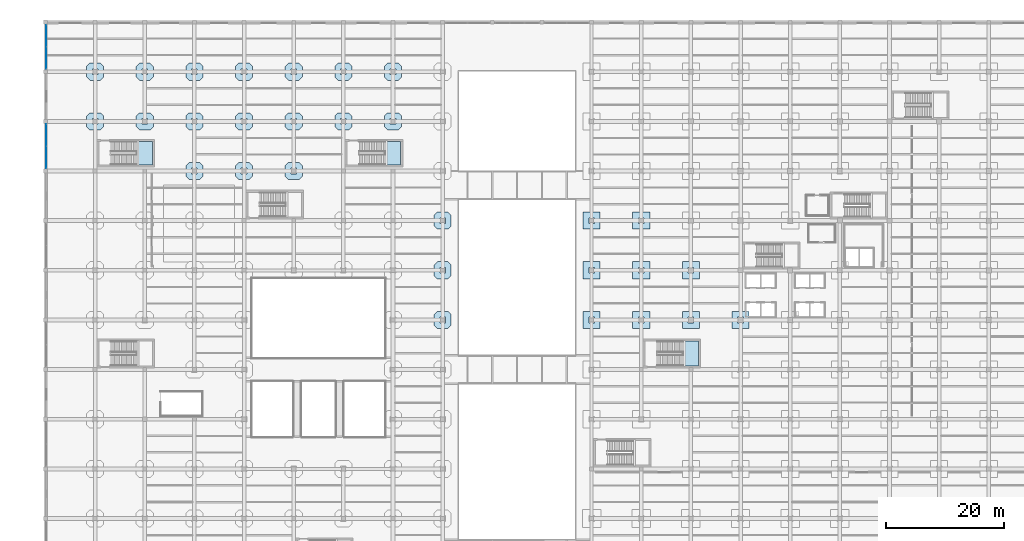
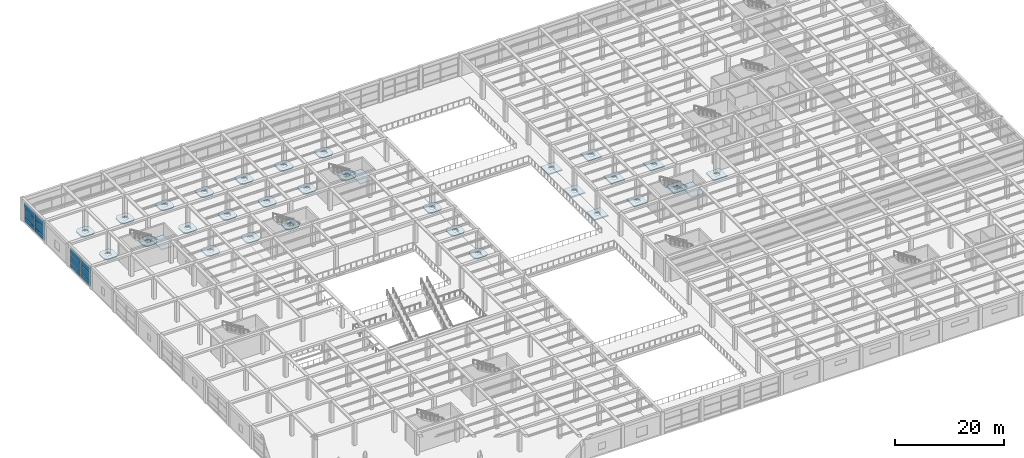
# One storey, part 43 of 65: 32 slabs, 12 plates, 5 elements without a shape of their own.
"""IFC4 building model written with IfcOpenShell, lengths in metres."""

from ifc_helpers import new_model, si_unit, direction, frame, origin, origin_2d, place, context, subcontext, project, spatial, polyline, rectangle, outline, extrude, material, layer, layer_set, type_object, element, aggregate, save


model = new_model("IFC4")

# Units and contexts
model_context = context("Model", 3, precision=1e-05, world=origin(), true_north=direction((0.0, 1.0)))
body_context = subcontext(model_context, "Body", "Model", "MODEL_VIEW")
ifc_project = project(units=[si_unit("LENGTHUNIT", "METRE"), si_unit("AREAUNIT", "SQUARE_METRE"), si_unit("VOLUMEUNIT", "CUBIC_METRE"), si_unit("PLANEANGLEUNIT", "RADIAN"), si_unit("MASSUNIT", "GRAM", prefix="KILO")], contexts=[model_context])

# Site, building, storey
site_placement = place(None, origin())
site = spatial("IfcSite", under=ifc_project, at=site_placement, CompositionType="ELEMENT")
building_placement = place(site_placement, origin())
building = spatial("IfcBuilding", under=site, at=building_placement, Name="Almacenes y Pasaje Nevantli", CompositionType="ELEMENT")
storey_placement = place(building_placement, frame((0.0, 0.0, 16.800048828125)))
storey = spatial("IfcBuildingStorey", under=building, at=storey_placement, Name="L04", CompositionType="ELEMENT", Elevation=16.800048828125)

# Curtain wall, plates
ifc_material_1 = material(Name="Thermally Broken Aluminium and Low-E Glass", Category="aluminium")
curtain_wall_type = type_object("IfcCurtainWallType", Name="CW-UNIT-PODIUM", PredefinedType="USERDEFINED", material=ifc_material_1)
curtain_wall_1_placement = place(storey_placement, origin())
curtain_wall_1 = element("IfcCurtainWall", 1, at=curtain_wall_1_placement, inside=storey, type_object=curtain_wall_type, Name="L04 West Avenue Unitized Curtain Wall Bay 12", ObjectType="UNITIZED CURTAIN WALL", PredefinedType="USERDEFINED")
ifc_material_2 = material(Name="Low-E Double Glazed Insulated Unit", Category="glass")
ifc_layer_1 = layer(ifc_material_2, 0.031982421875)
ifc_layer_set_1 = layer_set([ifc_layer_1], Name="Low-E Double Glazed Insulated Unit")
plate_type = type_object("IfcPlateType", Name="PL-IGU-32", PredefinedType="CURTAIN_PANEL", material=ifc_layer_set_1)
plate_1_placement = place(storey_placement, frame((0.14990234375, 94.73876953125, 0.05517578125), z_axis=(0.0, 0.0, 1.0), x_axis=(0.0, 1.0, 0.0)))
plate_1 = element("IfcPlate", 2, at=plate_1_placement, type_object=plate_type, Name="CW-L04-077 panel 1.1", PredefinedType="CURTAIN_PANEL", context=body_context, shape_type="SweptSolid", body=[
    extrude(rectangle(XDim=3.66748046875, YDim=0.031982421875, at=origin_2d()), origin(), (0.0, 0.0, 1.0), 0.867431640625),
])
plate_2_placement = place(storey_placement, frame((0.14990234375, 94.73876953125, 0.9775390625), z_axis=(0.0, 0.0, 1.0), x_axis=(0.0, 1.0, 0.0)))
plate_2 = element("IfcPlate", 3, at=plate_2_placement, type_object=plate_type, Name="CW-L04-077 panel 1.2", PredefinedType="CURTAIN_PANEL", context=body_context, shape_type="SweptSolid", body=[
    extrude(rectangle(XDim=3.66748046875, YDim=0.031982421875, at=origin_2d()), origin(), (0.0, 0.0, 1.0), 1.844970703125),
])
plate_3_placement = place(storey_placement, frame((0.14990234375, 94.73876953125, 2.87744140625), z_axis=(0.0, 0.0, 1.0), x_axis=(0.0, 1.0, 0.0)))
plate_3 = element("IfcPlate", 4, at=plate_3_placement, type_object=plate_type, Name="CW-L04-077 panel 1.3", PredefinedType="CURTAIN_PANEL", context=body_context, shape_type="SweptSolid", body=[
    extrude(rectangle(XDim=3.66748046875, YDim=0.031982421875, at=origin_2d()), origin(), (0.0, 0.0, 1.0), 1.447509765625),
])
plate_4_placement = place(storey_placement, frame((0.14990234375, 98.461181640625, 0.05517578125), z_axis=(0.0, 0.0, 1.0), x_axis=(0.0, 1.0, 0.0)))
plate_4 = element("IfcPlate", 5, at=plate_4_placement, type_object=plate_type, Name="CW-L04-077 panel 2.1", PredefinedType="CURTAIN_PANEL", context=body_context, shape_type="SweptSolid", body=[
    extrude(rectangle(XDim=3.66748046875, YDim=0.031982421875, at=origin_2d()), origin(), (0.0, 0.0, 1.0), 0.867431640625),
])
plate_5_placement = place(storey_placement, frame((0.14990234375, 98.461181640625, 0.9775390625), z_axis=(0.0, 0.0, 1.0), x_axis=(0.0, 1.0, 0.0)))
plate_5 = element("IfcPlate", 6, at=plate_5_placement, type_object=plate_type, Name="CW-L04-077 panel 2.2", PredefinedType="CURTAIN_PANEL", context=body_context, shape_type="SweptSolid", body=[
    extrude(rectangle(XDim=3.66748046875, YDim=0.031982421875, at=origin_2d()), origin(), (0.0, 0.0, 1.0), 1.844970703125),
])
plate_6_placement = place(storey_placement, frame((0.14990234375, 98.461181640625, 2.87744140625), z_axis=(0.0, 0.0, 1.0), x_axis=(0.0, 1.0, 0.0)))
plate_6 = element("IfcPlate", 7, at=plate_6_placement, type_object=plate_type, Name="CW-L04-077 panel 2.3", PredefinedType="CURTAIN_PANEL", context=body_context, shape_type="SweptSolid", body=[
    extrude(rectangle(XDim=3.66748046875, YDim=0.031982421875, at=origin_2d()), origin(), (0.0, 0.0, 1.0), 1.447509765625),
])
aggregate(curtain_wall_1, [plate_1, plate_2, plate_3, plate_4, plate_5, plate_6])

curtain_wall_2_placement = place(storey_placement, origin())
curtain_wall_2 = element("IfcCurtainWall", 8, at=curtain_wall_2_placement, inside=storey, type_object=curtain_wall_type, Name="L04 West Avenue Unitized Curtain Wall Bay 14", ObjectType="UNITIZED CURTAIN WALL", PredefinedType="USERDEFINED")
plate_7_placement = place(storey_placement, frame((0.14990234375, 111.538818359375, 0.05517578125), z_axis=(0.0, 0.0, 1.0), x_axis=(0.0, 1.0, 0.0)))
plate_7 = element("IfcPlate", 9, at=plate_7_placement, type_object=plate_type, Name="CW-L04-078 panel 1.1", PredefinedType="CURTAIN_PANEL", context=body_context, shape_type="SweptSolid", body=[
    extrude(rectangle(XDim=3.66748046875, YDim=0.031982421875, at=origin_2d()), origin(), (0.0, 0.0, 1.0), 0.867431640625),
])
plate_8_placement = place(storey_placement, frame((0.14990234375, 111.538818359375, 0.9775390625), z_axis=(0.0, 0.0, 1.0), x_axis=(0.0, 1.0, 0.0)))
plate_8 = element("IfcPlate", 10, at=plate_8_placement, type_object=plate_type, Name="CW-L04-078 panel 1.2", PredefinedType="CURTAIN_PANEL", context=body_context, shape_type="SweptSolid", body=[
    extrude(rectangle(XDim=3.66748046875, YDim=0.031982421875, at=origin_2d()), origin(), (0.0, 0.0, 1.0), 1.844970703125),
])
plate_9_placement = place(storey_placement, frame((0.14990234375, 111.538818359375, 2.87744140625), z_axis=(0.0, 0.0, 1.0), x_axis=(0.0, 1.0, 0.0)))
plate_9 = element("IfcPlate", 11, at=plate_9_placement, type_object=plate_type, Name="CW-L04-078 panel 1.3", PredefinedType="CURTAIN_PANEL", context=body_context, shape_type="SweptSolid", body=[
    extrude(rectangle(XDim=3.66748046875, YDim=0.031982421875, at=origin_2d()), origin(), (0.0, 0.0, 1.0), 1.447509765625),
])
plate_10_placement = place(storey_placement, frame((0.14990234375, 115.26123046875, 0.05517578125), z_axis=(0.0, 0.0, 1.0), x_axis=(0.0, 1.0, 0.0)))
plate_10 = element("IfcPlate", 12, at=plate_10_placement, type_object=plate_type, Name="CW-L04-078 panel 2.1", PredefinedType="CURTAIN_PANEL", context=body_context, shape_type="SweptSolid", body=[
    extrude(rectangle(XDim=3.66748046875, YDim=0.031982421875, at=origin_2d()), origin(), (0.0, 0.0, 1.0), 0.867431640625),
])
plate_11_placement = place(storey_placement, frame((0.14990234375, 115.26123046875, 0.9775390625), z_axis=(0.0, 0.0, 1.0), x_axis=(0.0, 1.0, 0.0)))
plate_11 = element("IfcPlate", 13, at=plate_11_placement, type_object=plate_type, Name="CW-L04-078 panel 2.2", PredefinedType="CURTAIN_PANEL", context=body_context, shape_type="SweptSolid", body=[
    extrude(rectangle(XDim=3.66748046875, YDim=0.031982421875, at=origin_2d()), origin(), (0.0, 0.0, 1.0), 1.844970703125),
])
plate_12_placement = place(storey_placement, frame((0.14990234375, 115.26123046875, 2.87744140625), z_axis=(0.0, 0.0, 1.0), x_axis=(0.0, 1.0, 0.0)))
plate_12 = element("IfcPlate", 14, at=plate_12_placement, type_object=plate_type, Name="CW-L04-078 panel 2.3", PredefinedType="CURTAIN_PANEL", context=body_context, shape_type="SweptSolid", body=[
    extrude(rectangle(XDim=3.66748046875, YDim=0.031982421875, at=origin_2d()), origin(), (0.0, 0.0, 1.0), 1.447509765625),
])
aggregate(curtain_wall_2, [plate_7, plate_8, plate_9, plate_10, plate_11, plate_12])

# Slabs
ifc_material_3 = material(Name="Concrete C35/45", Category="concrete")
ifc_layer_2 = layer(ifc_material_3, 0.25)
ifc_layer_set_2 = layer_set([ifc_layer_2], Name="Concrete C35/45")
slab_type_1 = type_object("IfcSlabType", Name="SLB-DP-250", PredefinedType="USERDEFINED", material=ifc_layer_set_2)
slab_1_placement = place(storey_placement, frame((0.0, 0.0, -0.550048828125)))
element("IfcSlab", 15, at=slab_1_placement, inside=storey, type_object=slab_type_1, Name="L04 Punching-Shear Drop Panel DP-02 #757", ObjectType="DROP PANEL", PredefinedType="USERDEFINED", context=body_context, shape_type="SweptSolid", body=[
    extrude(outline(polyline([(7.5, 99.35009765625), (9.300048828125, 99.35009765625), (9.85009765625, 99.89990234375), (9.85009765625, 101.699951171875), (9.300048828125, 102.25), (7.5, 102.25), (6.949951171875, 101.699951171875), (6.949951171875, 99.89990234375), (7.5, 99.35009765625)]), holes=[polyline([(7.919921875, 100.320068359375), (8.8798828125, 100.320068359375), (8.8798828125, 101.280029296875), (7.919921875, 101.280029296875), (7.919921875, 100.320068359375)])]), origin(), (0.0, 0.0, 1.0), 0.25),
])
slab_2_placement = place(storey_placement, frame((0.0, 0.0, -0.550048828125)))
element("IfcSlab", 16, at=slab_2_placement, inside=storey, type_object=slab_type_1, Name="L04 Punching-Shear Drop Panel DP-02 #758", ObjectType="DROP PANEL", PredefinedType="USERDEFINED", context=body_context, shape_type="SweptSolid", body=[
    extrude(outline(polyline([(7.5, 107.75), (9.300048828125, 107.75), (9.85009765625, 108.300048828125), (9.85009765625, 110.10009765625), (9.300048828125, 110.64990234375), (7.5, 110.64990234375), (6.949951171875, 110.10009765625), (6.949951171875, 108.300048828125), (7.5, 107.75)]), holes=[polyline([(7.919921875, 108.719970703125), (8.8798828125, 108.719970703125), (8.8798828125, 109.679931640625), (7.919921875, 109.679931640625), (7.919921875, 108.719970703125)])]), origin(), (0.0, 0.0, 1.0), 0.25),
])
slab_3_placement = place(storey_placement, frame((0.0, 0.0, -0.550048828125)))
element("IfcSlab", 17, at=slab_3_placement, inside=storey, type_object=slab_type_1, Name="L04 Punching-Shear Drop Panel DP-02 #765", ObjectType="DROP PANEL", PredefinedType="USERDEFINED", context=body_context, shape_type="SweptSolid", body=[
    extrude(outline(polyline([(15.89990234375, 99.35009765625), (17.699951171875, 99.35009765625), (18.25, 99.89990234375), (18.25, 101.699951171875), (17.699951171875, 102.25), (15.89990234375, 102.25), (15.35009765625, 101.699951171875), (15.35009765625, 99.89990234375), (15.89990234375, 99.35009765625)]), holes=[polyline([(16.320068359375, 100.320068359375), (17.280029296875, 100.320068359375), (17.280029296875, 101.280029296875), (16.320068359375, 101.280029296875), (16.320068359375, 100.320068359375)])]), origin(), (0.0, 0.0, 1.0), 0.25),
])
slab_4_placement = place(storey_placement, frame((0.0, 0.0, -0.550048828125)))
element("IfcSlab", 18, at=slab_4_placement, inside=storey, type_object=slab_type_1, Name="L04 Punching-Shear Drop Panel DP-02 #766", ObjectType="DROP PANEL", PredefinedType="USERDEFINED", context=body_context, shape_type="SweptSolid", body=[
    extrude(outline(polyline([(15.89990234375, 107.75), (17.699951171875, 107.75), (18.25, 108.300048828125), (18.25, 110.10009765625), (17.699951171875, 110.64990234375), (15.89990234375, 110.64990234375), (15.35009765625, 110.10009765625), (15.35009765625, 108.300048828125), (15.89990234375, 107.75)]), holes=[polyline([(16.320068359375, 108.719970703125), (17.280029296875, 108.719970703125), (17.280029296875, 109.679931640625), (16.320068359375, 109.679931640625), (16.320068359375, 108.719970703125)])]), origin(), (0.0, 0.0, 1.0), 0.25),
])
slab_5_placement = place(storey_placement, frame((0.0, 0.0, -0.550048828125)))
element("IfcSlab", 19, at=slab_5_placement, inside=storey, type_object=slab_type_1, Name="L04 Punching-Shear Drop Panel DP-02 #775", ObjectType="DROP PANEL", PredefinedType="USERDEFINED", context=body_context, shape_type="SweptSolid", body=[
    extrude(outline(polyline([(24.300048828125, 90.949951171875), (26.10009765625, 90.949951171875), (26.64990234375, 91.5), (26.64990234375, 93.300048828125), (26.10009765625, 93.85009765625), (24.300048828125, 93.85009765625), (23.75, 93.300048828125), (23.75, 91.5), (24.300048828125, 90.949951171875)]), holes=[polyline([(24.719970703125, 91.919921875), (25.679931640625, 91.919921875), (25.679931640625, 92.8798828125), (24.719970703125, 92.8798828125), (24.719970703125, 91.919921875)])]), origin(), (0.0, 0.0, 1.0), 0.25),
])
slab_6_placement = place(storey_placement, frame((0.0, 0.0, -0.550048828125)))
element("IfcSlab", 20, at=slab_6_placement, inside=storey, type_object=slab_type_1, Name="L04 Punching-Shear Drop Panel DP-02 #776", ObjectType="DROP PANEL", PredefinedType="USERDEFINED", context=body_context, shape_type="SweptSolid", body=[
    extrude(outline(polyline([(24.300048828125, 99.35009765625), (26.10009765625, 99.35009765625), (26.64990234375, 99.89990234375), (26.64990234375, 101.699951171875), (26.10009765625, 102.25), (24.300048828125, 102.25), (23.75, 101.699951171875), (23.75, 99.89990234375), (24.300048828125, 99.35009765625)]), holes=[polyline([(24.719970703125, 100.320068359375), (25.679931640625, 100.320068359375), (25.679931640625, 101.280029296875), (24.719970703125, 101.280029296875), (24.719970703125, 100.320068359375)])]), origin(), (0.0, 0.0, 1.0), 0.25),
])
slab_7_placement = place(storey_placement, frame((0.0, 0.0, -0.550048828125)))
element("IfcSlab", 21, at=slab_7_placement, inside=storey, type_object=slab_type_1, Name="L04 Punching-Shear Drop Panel DP-02 #777", ObjectType="DROP PANEL", PredefinedType="USERDEFINED", context=body_context, shape_type="SweptSolid", body=[
    extrude(outline(polyline([(24.300048828125, 107.75), (26.10009765625, 107.75), (26.64990234375, 108.300048828125), (26.64990234375, 110.10009765625), (26.10009765625, 110.64990234375), (24.300048828125, 110.64990234375), (23.75, 110.10009765625), (23.75, 108.300048828125), (24.300048828125, 107.75)]), holes=[polyline([(24.719970703125, 108.719970703125), (25.679931640625, 108.719970703125), (25.679931640625, 109.679931640625), (24.719970703125, 109.679931640625), (24.719970703125, 108.719970703125)])]), origin(), (0.0, 0.0, 1.0), 0.25),
])
slab_8_placement = place(storey_placement, frame((0.0, 0.0, -0.550048828125)))
element("IfcSlab", 22, at=slab_8_placement, inside=storey, type_object=slab_type_1, Name="L04 Punching-Shear Drop Panel DP-02 #786", ObjectType="DROP PANEL", PredefinedType="USERDEFINED", context=body_context, shape_type="SweptSolid", body=[
    extrude(outline(polyline([(32.699951171875, 90.949951171875), (34.5, 90.949951171875), (35.050048828125, 91.5), (35.050048828125, 93.300048828125), (34.5, 93.85009765625), (32.699951171875, 93.85009765625), (32.14990234375, 93.300048828125), (32.14990234375, 91.5), (32.699951171875, 90.949951171875)]), holes=[polyline([(33.1201171875, 91.919921875), (34.080078125, 91.919921875), (34.080078125, 92.8798828125), (33.1201171875, 92.8798828125), (33.1201171875, 91.919921875)])]), origin(), (0.0, 0.0, 1.0), 0.25),
])
slab_9_placement = place(storey_placement, frame((0.0, 0.0, -0.550048828125)))
element("IfcSlab", 23, at=slab_9_placement, inside=storey, type_object=slab_type_1, Name="L04 Punching-Shear Drop Panel DP-02 #787", ObjectType="DROP PANEL", PredefinedType="USERDEFINED", context=body_context, shape_type="SweptSolid", body=[
    extrude(outline(polyline([(32.699951171875, 99.35009765625), (34.5, 99.35009765625), (35.050048828125, 99.89990234375), (35.050048828125, 101.699951171875), (34.5, 102.25), (32.699951171875, 102.25), (32.14990234375, 101.699951171875), (32.14990234375, 99.89990234375), (32.699951171875, 99.35009765625)]), holes=[polyline([(33.1201171875, 100.320068359375), (34.080078125, 100.320068359375), (34.080078125, 101.280029296875), (33.1201171875, 101.280029296875), (33.1201171875, 100.320068359375)])]), origin(), (0.0, 0.0, 1.0), 0.25),
])
slab_10_placement = place(storey_placement, frame((0.0, 0.0, -0.550048828125)))
element("IfcSlab", 24, at=slab_10_placement, inside=storey, type_object=slab_type_1, Name="L04 Punching-Shear Drop Panel DP-02 #788", ObjectType="DROP PANEL", PredefinedType="USERDEFINED", context=body_context, shape_type="SweptSolid", body=[
    extrude(outline(polyline([(32.699951171875, 107.75), (34.5, 107.75), (35.050048828125, 108.300048828125), (35.050048828125, 110.10009765625), (34.5, 110.64990234375), (32.699951171875, 110.64990234375), (32.14990234375, 110.10009765625), (32.14990234375, 108.300048828125), (32.699951171875, 107.75)]), holes=[polyline([(33.1201171875, 108.719970703125), (34.080078125, 108.719970703125), (34.080078125, 109.679931640625), (33.1201171875, 109.679931640625), (33.1201171875, 108.719970703125)])]), origin(), (0.0, 0.0, 1.0), 0.25),
])
slab_11_placement = place(storey_placement, frame((0.0, 0.0, -0.550048828125)))
element("IfcSlab", 25, at=slab_11_placement, inside=storey, type_object=slab_type_1, Name="L04 Punching-Shear Drop Panel DP-02 #794", ObjectType="DROP PANEL", PredefinedType="USERDEFINED", context=body_context, shape_type="SweptSolid", body=[
    extrude(outline(polyline([(41.10009765625, 90.949951171875), (42.89990234375, 90.949951171875), (43.449951171875, 91.5), (43.449951171875, 93.300048828125), (42.89990234375, 93.85009765625), (41.10009765625, 93.85009765625), (40.550048828125, 93.300048828125), (40.550048828125, 91.5), (41.10009765625, 90.949951171875)]), holes=[polyline([(41.52001953125, 91.919921875), (42.47998046875, 91.919921875), (42.47998046875, 92.8798828125), (41.52001953125, 92.8798828125), (41.52001953125, 91.919921875)])]), origin(), (0.0, 0.0, 1.0), 0.25),
])
slab_12_placement = place(storey_placement, frame((0.0, 0.0, -0.550048828125)))
element("IfcSlab", 26, at=slab_12_placement, inside=storey, type_object=slab_type_1, Name="L04 Punching-Shear Drop Panel DP-02 #795", ObjectType="DROP PANEL", PredefinedType="USERDEFINED", context=body_context, shape_type="SweptSolid", body=[
    extrude(outline(polyline([(41.10009765625, 99.35009765625), (42.89990234375, 99.35009765625), (43.449951171875, 99.89990234375), (43.449951171875, 101.699951171875), (42.89990234375, 102.25), (41.10009765625, 102.25), (40.550048828125, 101.699951171875), (40.550048828125, 99.89990234375), (41.10009765625, 99.35009765625)]), holes=[polyline([(41.52001953125, 100.320068359375), (42.47998046875, 100.320068359375), (42.47998046875, 101.280029296875), (41.52001953125, 101.280029296875), (41.52001953125, 100.320068359375)])]), origin(), (0.0, 0.0, 1.0), 0.25),
])
slab_13_placement = place(storey_placement, frame((0.0, 0.0, -0.550048828125)))
element("IfcSlab", 27, at=slab_13_placement, inside=storey, type_object=slab_type_1, Name="L04 Punching-Shear Drop Panel DP-02 #796", ObjectType="DROP PANEL", PredefinedType="USERDEFINED", context=body_context, shape_type="SweptSolid", body=[
    extrude(outline(polyline([(41.10009765625, 107.75), (42.89990234375, 107.75), (43.449951171875, 108.300048828125), (43.449951171875, 110.10009765625), (42.89990234375, 110.64990234375), (41.10009765625, 110.64990234375), (40.550048828125, 110.10009765625), (40.550048828125, 108.300048828125), (41.10009765625, 107.75)]), holes=[polyline([(41.52001953125, 108.719970703125), (42.47998046875, 108.719970703125), (42.47998046875, 109.679931640625), (41.52001953125, 109.679931640625), (41.52001953125, 108.719970703125)])]), origin(), (0.0, 0.0, 1.0), 0.25),
])
slab_14_placement = place(storey_placement, frame((0.0, 0.0, -0.550048828125)))
element("IfcSlab", 28, at=slab_14_placement, inside=storey, type_object=slab_type_1, Name="L04 Punching-Shear Drop Panel DP-02 #803", ObjectType="DROP PANEL", PredefinedType="USERDEFINED", context=body_context, shape_type="SweptSolid", body=[
    extrude(outline(polyline([(49.5, 99.35009765625), (51.300048828125, 99.35009765625), (51.85009765625, 99.89990234375), (51.85009765625, 101.699951171875), (51.300048828125, 102.25), (49.5, 102.25), (48.949951171875, 101.699951171875), (48.949951171875, 99.89990234375), (49.5, 99.35009765625)]), holes=[polyline([(49.919921875, 100.320068359375), (50.8798828125, 100.320068359375), (50.8798828125, 101.280029296875), (49.919921875, 101.280029296875), (49.919921875, 100.320068359375)])]), origin(), (0.0, 0.0, 1.0), 0.25),
])
slab_15_placement = place(storey_placement, frame((0.0, 0.0, -0.550048828125)))
element("IfcSlab", 29, at=slab_15_placement, inside=storey, type_object=slab_type_1, Name="L04 Punching-Shear Drop Panel DP-02 #804", ObjectType="DROP PANEL", PredefinedType="USERDEFINED", context=body_context, shape_type="SweptSolid", body=[
    extrude(outline(polyline([(49.5, 107.75), (51.300048828125, 107.75), (51.85009765625, 108.300048828125), (51.85009765625, 110.10009765625), (51.300048828125, 110.64990234375), (49.5, 110.64990234375), (48.949951171875, 110.10009765625), (48.949951171875, 108.300048828125), (49.5, 107.75)]), holes=[polyline([(49.919921875, 108.719970703125), (50.8798828125, 108.719970703125), (50.8798828125, 109.679931640625), (49.919921875, 109.679931640625), (49.919921875, 108.719970703125)])]), origin(), (0.0, 0.0, 1.0), 0.25),
])
slab_16_placement = place(storey_placement, frame((0.0, 0.0, -0.550048828125)))
element("IfcSlab", 30, at=slab_16_placement, inside=storey, type_object=slab_type_1, Name="L04 Punching-Shear Drop Panel DP-02 #815", ObjectType="DROP PANEL", PredefinedType="USERDEFINED", context=body_context, shape_type="SweptSolid", body=[
    extrude(outline(polyline([(57.89990234375, 99.35009765625), (59.699951171875, 99.35009765625), (60.25, 99.89990234375), (60.25, 101.699951171875), (59.699951171875, 102.25), (57.89990234375, 102.25), (57.35009765625, 101.699951171875), (57.35009765625, 99.89990234375), (57.89990234375, 99.35009765625)]), holes=[polyline([(58.320068359375, 100.320068359375), (59.280029296875, 100.320068359375), (59.280029296875, 101.280029296875), (58.320068359375, 101.280029296875), (58.320068359375, 100.320068359375)])]), origin(), (0.0, 0.0, 1.0), 0.25),
])
slab_17_placement = place(storey_placement, frame((0.0, 0.0, -0.550048828125)))
element("IfcSlab", 31, at=slab_17_placement, inside=storey, type_object=slab_type_1, Name="L04 Punching-Shear Drop Panel DP-02 #816", ObjectType="DROP PANEL", PredefinedType="USERDEFINED", context=body_context, shape_type="SweptSolid", body=[
    extrude(outline(polyline([(57.89990234375, 107.75), (59.699951171875, 107.75), (60.25, 108.300048828125), (60.25, 110.10009765625), (59.699951171875, 110.64990234375), (57.89990234375, 110.64990234375), (57.35009765625, 110.10009765625), (57.35009765625, 108.300048828125), (57.89990234375, 107.75)]), holes=[polyline([(58.320068359375, 108.719970703125), (59.280029296875, 108.719970703125), (59.280029296875, 109.679931640625), (58.320068359375, 109.679931640625), (58.320068359375, 108.719970703125)])]), origin(), (0.0, 0.0, 1.0), 0.25),
])
slab_18_placement = place(storey_placement, frame((0.0, 0.0, -0.550048828125)))
element("IfcSlab", 32, at=slab_18_placement, inside=storey, type_object=slab_type_1, Name="L04 Punching-Shear Drop Panel DP-02 #824", ObjectType="DROP PANEL", PredefinedType="USERDEFINED", context=body_context, shape_type="SweptSolid", body=[
    extrude(outline(polyline([(66.300048828125, 65.75), (68.10009765625, 65.75), (68.64990234375, 66.300048828125), (68.64990234375, 68.10009765625), (68.10009765625, 68.64990234375), (66.300048828125, 68.64990234375), (65.75, 68.10009765625), (65.75, 66.300048828125), (66.300048828125, 65.75)]), holes=[polyline([(66.719970703125, 66.719970703125), (67.679931640625, 66.719970703125), (67.679931640625, 67.679931640625), (66.719970703125, 67.679931640625), (66.719970703125, 66.719970703125)])]), origin(), (0.0, 0.0, 1.0), 0.25),
])
slab_19_placement = place(storey_placement, frame((0.0, 0.0, -0.550048828125)))
element("IfcSlab", 33, at=slab_19_placement, inside=storey, type_object=slab_type_1, Name="L04 Punching-Shear Drop Panel DP-02 #825", ObjectType="DROP PANEL", PredefinedType="USERDEFINED", context=body_context, shape_type="SweptSolid", body=[
    extrude(outline(polyline([(66.300048828125, 74.14990234375), (68.10009765625, 74.14990234375), (68.64990234375, 74.699951171875), (68.64990234375, 76.5), (68.10009765625, 77.050048828125), (66.300048828125, 77.050048828125), (65.75, 76.5), (65.75, 74.699951171875), (66.300048828125, 74.14990234375)]), holes=[polyline([(66.719970703125, 75.1201171875), (67.679931640625, 75.1201171875), (67.679931640625, 76.080078125), (66.719970703125, 76.080078125), (66.719970703125, 75.1201171875)])]), origin(), (0.0, 0.0, 1.0), 0.25),
])
slab_20_placement = place(storey_placement, frame((0.0, 0.0, -0.550048828125)))
element("IfcSlab", 34, at=slab_20_placement, inside=storey, type_object=slab_type_1, Name="L04 Punching-Shear Drop Panel DP-02 #826", ObjectType="DROP PANEL", PredefinedType="USERDEFINED", context=body_context, shape_type="SweptSolid", body=[
    extrude(outline(polyline([(66.300048828125, 82.550048828125), (68.10009765625, 82.550048828125), (68.64990234375, 83.10009765625), (68.64990234375, 84.89990234375), (68.10009765625, 85.449951171875), (66.300048828125, 85.449951171875), (65.75, 84.89990234375), (65.75, 83.10009765625), (66.300048828125, 82.550048828125)]), holes=[polyline([(66.719970703125, 83.52001953125), (67.679931640625, 83.52001953125), (67.679931640625, 84.47998046875), (66.719970703125, 84.47998046875), (66.719970703125, 83.52001953125)])]), origin(), (0.0, 0.0, 1.0), 0.25),
])
slab_21_placement = place(storey_placement, frame((0.0, 0.0, -0.550048828125)))
element("IfcSlab", 35, at=slab_21_placement, inside=storey, type_object=slab_type_1, Name="L04 Punching-Shear Drop Panel DP-02 #836", ObjectType="DROP PANEL", PredefinedType="USERDEFINED", context=body_context, shape_type="SweptSolid", body=[
    extrude(outline(polyline([(90.949951171875, 65.75), (93.85009765625, 65.75), (93.85009765625, 68.64990234375), (90.949951171875, 68.64990234375), (90.949951171875, 65.75)]), holes=[polyline([(91.919921875, 66.719970703125), (92.8798828125, 66.719970703125), (92.8798828125, 67.679931640625), (91.919921875, 67.679931640625), (91.919921875, 66.719970703125)])]), origin(), (0.0, 0.0, 1.0), 0.25),
])
slab_22_placement = place(storey_placement, frame((0.0, 0.0, -0.550048828125)))
element("IfcSlab", 36, at=slab_22_placement, inside=storey, type_object=slab_type_1, Name="L04 Punching-Shear Drop Panel DP-02 #837", ObjectType="DROP PANEL", PredefinedType="USERDEFINED", context=body_context, shape_type="SweptSolid", body=[
    extrude(outline(polyline([(90.949951171875, 74.14990234375), (93.85009765625, 74.14990234375), (93.85009765625, 77.050048828125), (90.949951171875, 77.050048828125), (90.949951171875, 74.14990234375)]), holes=[polyline([(91.919921875, 75.1201171875), (92.8798828125, 75.1201171875), (92.8798828125, 76.080078125), (91.919921875, 76.080078125), (91.919921875, 75.1201171875)])]), origin(), (0.0, 0.0, 1.0), 0.25),
])
slab_23_placement = place(storey_placement, frame((0.0, 0.0, -0.550048828125)))
element("IfcSlab", 37, at=slab_23_placement, inside=storey, type_object=slab_type_1, Name="L04 Punching-Shear Drop Panel DP-02 #838", ObjectType="DROP PANEL", PredefinedType="USERDEFINED", context=body_context, shape_type="SweptSolid", body=[
    extrude(outline(polyline([(90.949951171875, 82.550048828125), (93.85009765625, 82.550048828125), (93.85009765625, 85.449951171875), (90.949951171875, 85.449951171875), (90.949951171875, 82.550048828125)]), holes=[polyline([(91.919921875, 83.52001953125), (92.8798828125, 83.52001953125), (92.8798828125, 84.47998046875), (91.919921875, 84.47998046875), (91.919921875, 83.52001953125)])]), origin(), (0.0, 0.0, 1.0), 0.25),
])
slab_24_placement = place(storey_placement, frame((0.0, 0.0, -0.550048828125)))
element("IfcSlab", 38, at=slab_24_placement, inside=storey, type_object=slab_type_1, Name="L04 Punching-Shear Drop Panel DP-02 #847", ObjectType="DROP PANEL", PredefinedType="USERDEFINED", context=body_context, shape_type="SweptSolid", body=[
    extrude(outline(polyline([(99.35009765625, 65.75), (102.25, 65.75), (102.25, 68.64990234375), (99.35009765625, 68.64990234375), (99.35009765625, 65.75)]), holes=[polyline([(100.320068359375, 66.719970703125), (101.280029296875, 66.719970703125), (101.280029296875, 67.679931640625), (100.320068359375, 67.679931640625), (100.320068359375, 66.719970703125)])]), origin(), (0.0, 0.0, 1.0), 0.25),
])
slab_25_placement = place(storey_placement, frame((0.0, 0.0, -0.550048828125)))
element("IfcSlab", 39, at=slab_25_placement, inside=storey, type_object=slab_type_1, Name="L04 Punching-Shear Drop Panel DP-02 #848", ObjectType="DROP PANEL", PredefinedType="USERDEFINED", context=body_context, shape_type="SweptSolid", body=[
    extrude(outline(polyline([(99.35009765625, 74.14990234375), (102.25, 74.14990234375), (102.25, 77.050048828125), (99.35009765625, 77.050048828125), (99.35009765625, 74.14990234375)]), holes=[polyline([(100.320068359375, 75.1201171875), (101.280029296875, 75.1201171875), (101.280029296875, 76.080078125), (100.320068359375, 76.080078125), (100.320068359375, 75.1201171875)])]), origin(), (0.0, 0.0, 1.0), 0.25),
])
slab_26_placement = place(storey_placement, frame((0.0, 0.0, -0.550048828125)))
element("IfcSlab", 40, at=slab_26_placement, inside=storey, type_object=slab_type_1, Name="L04 Punching-Shear Drop Panel DP-02 #849", ObjectType="DROP PANEL", PredefinedType="USERDEFINED", context=body_context, shape_type="SweptSolid", body=[
    extrude(outline(polyline([(99.35009765625, 82.550048828125), (102.25, 82.550048828125), (102.25, 85.449951171875), (99.35009765625, 85.449951171875), (99.35009765625, 82.550048828125)]), holes=[polyline([(100.320068359375, 83.52001953125), (101.280029296875, 83.52001953125), (101.280029296875, 84.47998046875), (100.320068359375, 84.47998046875), (100.320068359375, 83.52001953125)])]), origin(), (0.0, 0.0, 1.0), 0.25),
])
slab_27_placement = place(storey_placement, frame((0.0, 0.0, -0.550048828125)))
element("IfcSlab", 41, at=slab_27_placement, inside=storey, type_object=slab_type_1, Name="L04 Punching-Shear Drop Panel DP-02 #859", ObjectType="DROP PANEL", PredefinedType="USERDEFINED", context=body_context, shape_type="SweptSolid", body=[
    extrude(outline(polyline([(107.75, 65.75), (110.64990234375, 65.75), (110.64990234375, 68.64990234375), (107.75, 68.64990234375), (107.75, 65.75)]), holes=[polyline([(108.719970703125, 66.719970703125), (109.679931640625, 66.719970703125), (109.679931640625, 67.679931640625), (108.719970703125, 67.679931640625), (108.719970703125, 66.719970703125)])]), origin(), (0.0, 0.0, 1.0), 0.25),
])
slab_28_placement = place(storey_placement, frame((0.0, 0.0, -0.550048828125)))
element("IfcSlab", 42, at=slab_28_placement, inside=storey, type_object=slab_type_1, Name="L04 Punching-Shear Drop Panel DP-02 #860", ObjectType="DROP PANEL", PredefinedType="USERDEFINED", context=body_context, shape_type="SweptSolid", body=[
    extrude(outline(polyline([(107.75, 74.14990234375), (110.64990234375, 74.14990234375), (110.64990234375, 77.050048828125), (107.75, 77.050048828125), (107.75, 74.14990234375)]), holes=[polyline([(108.719970703125, 75.1201171875), (109.679931640625, 75.1201171875), (109.679931640625, 76.080078125), (108.719970703125, 76.080078125), (108.719970703125, 75.1201171875)])]), origin(), (0.0, 0.0, 1.0), 0.25),
])
slab_29_placement = place(storey_placement, frame((0.0, 0.0, -0.550048828125)))
element("IfcSlab", 43, at=slab_29_placement, inside=storey, type_object=slab_type_1, Name="L04 Punching-Shear Drop Panel DP-02 #872", ObjectType="DROP PANEL", PredefinedType="USERDEFINED", context=body_context, shape_type="SweptSolid", body=[
    extrude(outline(polyline([(116.14990234375, 65.75), (119.050048828125, 65.75), (119.050048828125, 68.64990234375), (116.14990234375, 68.64990234375), (116.14990234375, 65.75)]), holes=[polyline([(117.1201171875, 66.719970703125), (118.080078125, 66.719970703125), (118.080078125, 67.679931640625), (117.1201171875, 67.679931640625), (117.1201171875, 66.719970703125)])]), origin(), (0.0, 0.0, 1.0), 0.25),
])

# Stair, slab
ifc_material_4 = material(Name="Concrete C35/45", Category="concrete")
stair_type_1 = type_object("IfcStairType", Name="STR-CORE-1750", PredefinedType="HALF_TURN_STAIR", material=ifc_material_4)
stair_1_placement = place(storey_placement, origin())
stair_1 = element("IfcStair", 44, at=stair_1_placement, inside=storey, type_object=stair_type_1, Name="L04 Staircase ST-03", PredefinedType="HALF_TURN_STAIR")
ifc_material_5 = material(Name="Concrete C35/45", Category="concrete")
ifc_layer_3 = layer(ifc_material_5, 0.199951171875)
ifc_layer_set_3 = layer_set([ifc_layer_3], Name="Concrete C35/45")
slab_type_2 = type_object("IfcSlabType", Name="SLB-LAND-200", PredefinedType="LANDING", material=ifc_layer_set_3)
slab_30_placement = place(storey_placement, frame((0.0, 0.0, 2.5)))
slab_30 = element("IfcSlab", 45, at=slab_30_placement, type_object=slab_type_2, Name="ST-03-L04 landing 1", PredefinedType="LANDING", context=body_context, shape_type="SweptSolid", body=[
    extrude(outline(polyline([(15.43505859375, 93.449951171875), (18.10009765625, 93.449951171875), (18.10009765625, 97.39990234375), (15.43505859375, 97.39990234375), (15.43505859375, 93.449951171875)])), origin(), (0.0, 0.0, 1.0), 0.199951171875),
])
aggregate(stair_1, [slab_30])

stair_2_placement = place(storey_placement, origin())
stair_2 = element("IfcStair", 46, at=stair_2_placement, inside=storey, type_object=stair_type_1, Name="L04 Staircase ST-05", PredefinedType="HALF_TURN_STAIR")
slab_31_placement = place(storey_placement, frame((0.0, 0.0, 2.5)))
slab_31 = element("IfcSlab", 47, at=slab_31_placement, type_object=slab_type_2, Name="ST-05-L04 landing 1", PredefinedType="LANDING", context=body_context, shape_type="SweptSolid", body=[
    extrude(outline(polyline([(57.43505859375, 93.449951171875), (60.10009765625, 93.449951171875), (60.10009765625, 97.39990234375), (57.43505859375, 97.39990234375), (57.43505859375, 93.449951171875)])), origin(), (0.0, 0.0, 1.0), 0.199951171875),
])
aggregate(stair_2, [slab_31])

ifc_material_6 = material(Name="Concrete C35/45", Category="concrete")
stair_type_2 = type_object("IfcStairType", Name="STR-CORE-1850", PredefinedType="HALF_TURN_STAIR", material=ifc_material_6)
stair_3_placement = place(storey_placement, origin())
stair_3 = element("IfcStair", 48, at=stair_3_placement, inside=storey, type_object=stair_type_2, Name="L04 Staircase ST-13", PredefinedType="HALF_TURN_STAIR")
slab_32_placement = place(storey_placement, frame((0.0, 0.0, 2.5)))
slab_32 = element("IfcSlab", 49, at=slab_32_placement, type_object=slab_type_2, Name="ST-13-L04 landing 1", PredefinedType="LANDING", context=body_context, shape_type="SweptSolid", body=[
    extrude(outline(polyline([(107.8349609375, 59.449951171875), (110.5, 59.449951171875), (110.5, 63.60009765625), (107.8349609375, 63.60009765625), (107.8349609375, 59.449951171875)])), origin(), (0.0, 0.0, 1.0), 0.199951171875),
])
aggregate(stair_3, [slab_32])

save(model, "model.ifc")
